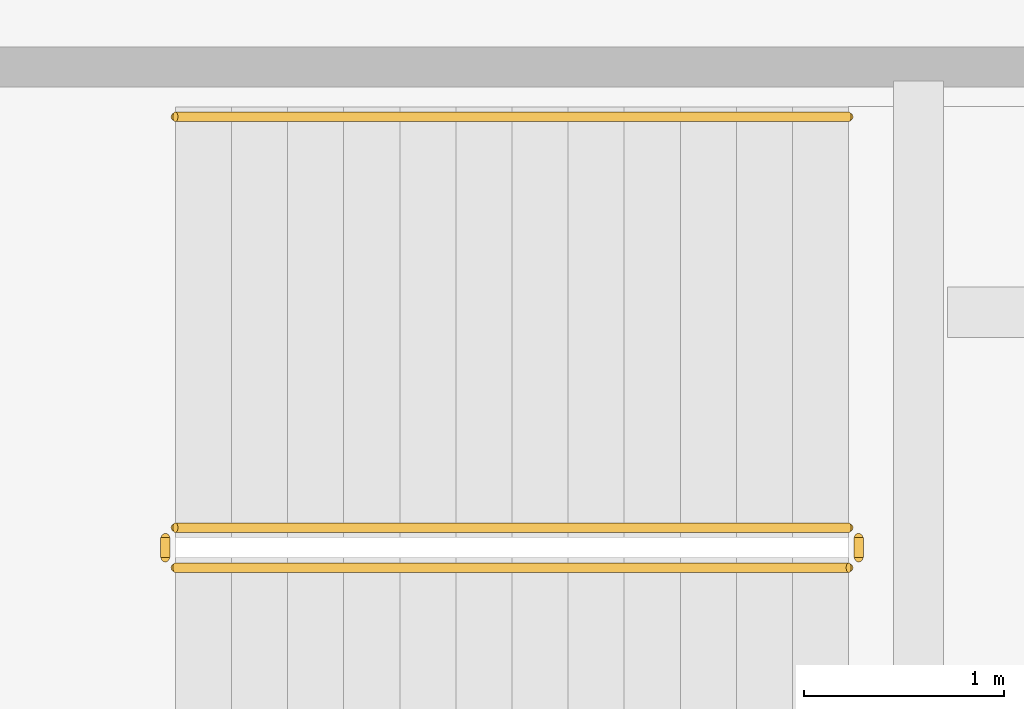
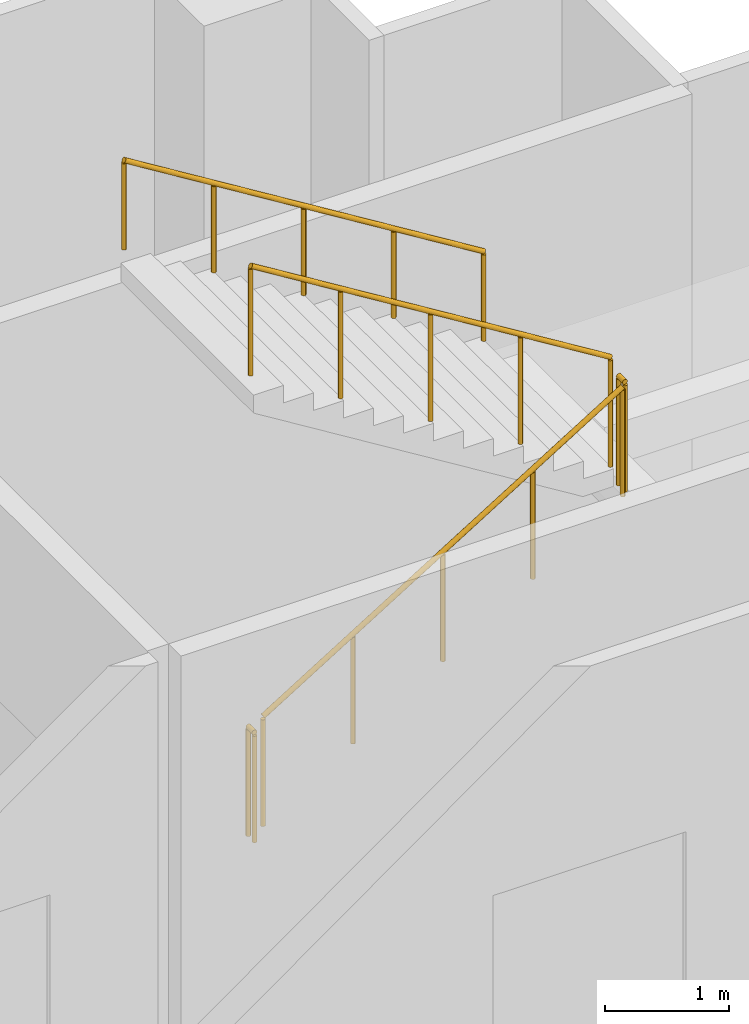
# One storey, part 21 of 21: 5 railings.
"""IFC4 building model written with IfcOpenShell, lengths in metres."""

from ifc_helpers import new_model, si_unit, direction, frame, origin, origin_2d, place, context, subcontext, project, spatial, circle, extrude, material, type_object, element, save


model = new_model("IFC4")

# Units and contexts
model_context = context("Model", 3, precision=1e-05, world=origin(), true_north=direction((0.0, 1.0)))
body_context = subcontext(model_context, "Body", "Model", "MODEL_VIEW")
ifc_project = project(units=[si_unit("LENGTHUNIT", "METRE"), si_unit("AREAUNIT", "SQUARE_METRE"), si_unit("VOLUMEUNIT", "CUBIC_METRE"), si_unit("PLANEANGLEUNIT", "RADIAN"), si_unit("MASSUNIT", "GRAM", prefix="KILO")], contexts=[model_context])

# Site, building, storey
site_placement = place(None, origin())
site = spatial("IfcSite", under=ifc_project, at=site_placement, CompositionType="ELEMENT")
building_placement = place(site_placement, origin())
building = spatial("IfcBuilding", under=site, at=building_placement, Name="Verdalira Terraces Hotel", CompositionType="ELEMENT")
storey_placement = place(building_placement, frame((0.0, 0.0, 19.0)))
storey = spatial("IfcBuildingStorey", under=building, at=storey_placement, Name="L03", CompositionType="ELEMENT", Elevation=19.0)

# Railings
ifc_material_1 = material(Name="Stainless steel", Category="steel")
railing_type_1 = type_object("IfcRailingType", Name="Stair guard 1100", PredefinedType="GUARDRAIL", material=ifc_material_1)
railing_1_placement = place(storey_placement, frame((-0.75, 38.699951, 0.173096)))
element("IfcRailing", 1, at=railing_1_placement, inside=storey, type_object=railing_type_1, Name="L03 PS1 stair guard 1", PredefinedType="GUARDRAIL", context=body_context, shape_type="SweptSolid", body=[
    extrude(circle(Radius=0.023926, at=origin_2d()), frame((0.0, 0.0, 1.076172), z_axis=(0.850623217, 0.0, 0.525775754), x_axis=(0.0, 1.0, 0.0)), (0.0, 0.0, 1.0), 3.950195),
    extrude(circle(Radius=0.020996, at=origin_2d()), origin(), (0.0, 0.0, 1.0), 1.052002),
    extrude(circle(Radius=0.020996, at=origin_2d()), frame((0.840088, 0.0, 0.519287)), (0.0, 0.0, 1.0), 1.052002),
    extrude(circle(Radius=0.020996, at=origin_2d()), frame((1.680176, 0.0, 1.038574)), (0.0, 0.0, 1.0), 1.052002),
    extrude(circle(Radius=0.020996, at=origin_2d()), frame((2.52002, 0.0, 1.557617)), (0.0, 0.0, 1.0), 1.052002),
    extrude(circle(Radius=0.020996, at=origin_2d()), frame((3.360107, 0.0, 2.076904)), (0.0, 0.0, 1.0), 1.052002),
])
railing_2_placement = place(storey_placement, frame((2.659912, 38.75, 2.25)))
element("IfcRailing", 2, at=railing_2_placement, inside=storey, type_object=railing_type_1, Name="L03 PS1 stair guard 2", PredefinedType="GUARDRAIL", context=body_context, shape_type="SweptSolid", body=[
    extrude(circle(Radius=0.023926, at=origin_2d()), frame((0.0, 0.0, 1.076172), z_axis=(0.0, 1.0, 0.0), x_axis=(-1.0, 0.0, 0.0)), (0.0, 0.0, 1.0), 0.100098),
    extrude(circle(Radius=0.020996, at=origin_2d()), origin(), (0.0, 0.0, 1.0), 1.052002),
    extrude(circle(Radius=0.020996, at=origin_2d()), frame((0.0, 0.100098, 0.0)), (0.0, 0.0, 1.0), 1.052002),
])
railing_3_placement = place(storey_placement, frame((2.610107, 38.899902, 2.423096)))
element("IfcRailing", 3, at=railing_3_placement, inside=storey, type_object=railing_type_1, Name="L03 PS1 stair guard 3", PredefinedType="GUARDRAIL", context=body_context, shape_type="SweptSolid", body=[
    extrude(circle(Radius=0.023926, at=origin_2d()), frame((0.0, 0.0, 1.076172), z_axis=(-0.850623217, 0.0, 0.525775754), x_axis=(0.0, -1.0, 0.0)), (0.0, 0.0, 1.0), 3.950195),
    extrude(circle(Radius=0.020996, at=origin_2d()), origin(), (0.0, 0.0, 1.0), 1.052002),
    extrude(circle(Radius=0.020996, at=origin_2d()), frame((-0.840088, 0.0, 0.519287)), (0.0, 0.0, 1.0), 1.052002),
    extrude(circle(Radius=0.020996, at=origin_2d()), frame((-1.680176, 0.0, 1.038574)), (0.0, 0.0, 1.0), 1.052002),
    extrude(circle(Radius=0.020996, at=origin_2d()), frame((-2.52002, 0.0, 1.557617)), (0.0, 0.0, 1.0), 1.052002),
    extrude(circle(Radius=0.020996, at=origin_2d()), frame((-3.360107, 0.0, 2.076904)), (0.0, 0.0, 1.0), 1.052002),
])
railing_4_placement = place(storey_placement, frame((-0.800049, 38.75, 0.0)))
element("IfcRailing", 4, at=railing_4_placement, inside=storey, type_object=railing_type_1, Name="L03 PS1 stair guard 4", PredefinedType="GUARDRAIL", context=body_context, shape_type="SweptSolid", body=[
    extrude(circle(Radius=0.023926, at=origin_2d()), frame((0.0, 0.0, 1.076172), z_axis=(0.0, 1.0, 0.0), x_axis=(-1.0, 0.0, 0.0)), (0.0, 0.0, 1.0), 0.100098),
    extrude(circle(Radius=0.020996, at=origin_2d()), origin(), (0.0, 0.0, 1.0), 1.052002),
    extrude(circle(Radius=0.020996, at=origin_2d()), frame((0.0, 0.100098, 0.0)), (0.0, 0.0, 1.0), 1.052002),
])
ifc_material_2 = material(Name="Stainless steel", Category="steel")
railing_type_2 = type_object("IfcRailingType", Name="Stair handrail 900", PredefinedType="HANDRAIL", material=ifc_material_2)
railing_5_placement = place(storey_placement, frame((2.610107, 40.949951, 2.423096)))
element("IfcRailing", 5, at=railing_5_placement, inside=storey, type_object=railing_type_2, Name="L03 PS1 stair handrail 2", PredefinedType="HANDRAIL", context=body_context, shape_type="SweptSolid", body=[
    extrude(circle(Radius=0.023926, at=origin_2d()), frame((0.0, 0.0, 0.875977), z_axis=(-0.850623217, 0.0, 0.525775754), x_axis=(0.0, -1.0, 0.0)), (0.0, 0.0, 1.0), 3.950195),
    extrude(circle(Radius=0.020996, at=origin_2d()), origin(), (0.0, 0.0, 1.0), 0.851807),
    extrude(circle(Radius=0.020996, at=origin_2d()), frame((-0.840088, 0.0, 0.519287)), (0.0, 0.0, 1.0), 0.851807),
    extrude(circle(Radius=0.020996, at=origin_2d()), frame((-1.680176, 0.0, 1.038574)), (0.0, 0.0, 1.0), 0.851807),
    extrude(circle(Radius=0.020996, at=origin_2d()), frame((-2.52002, 0.0, 1.557617)), (0.0, 0.0, 1.0), 0.851807),
    extrude(circle(Radius=0.020996, at=origin_2d()), frame((-3.360107, 0.0, 2.076904)), (0.0, 0.0, 1.0), 0.851807),
])

save(model, "model.ifc")
